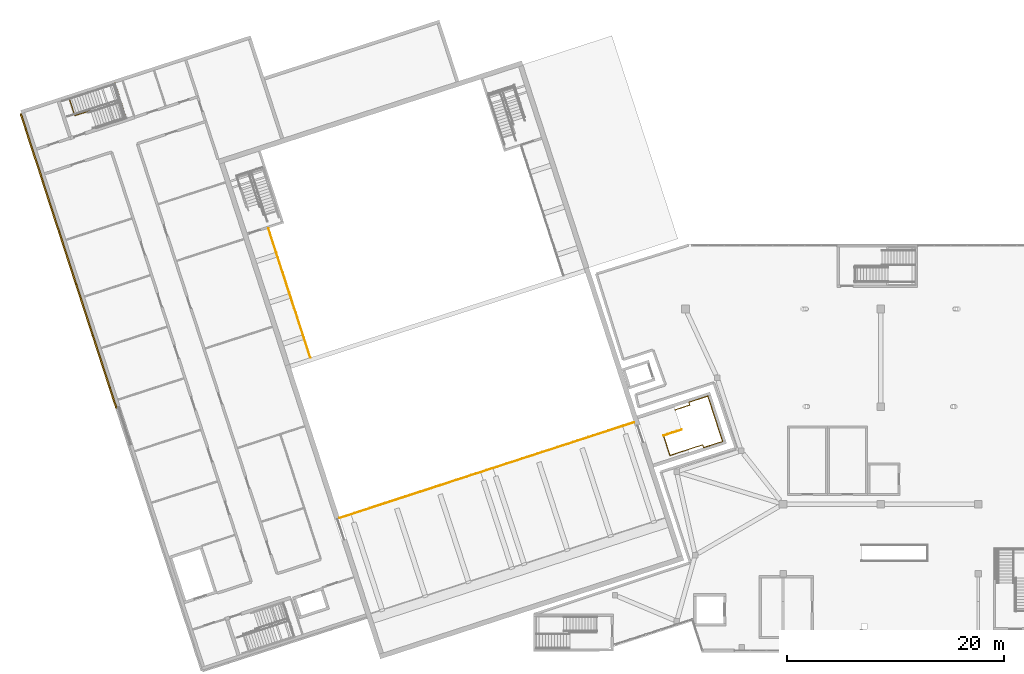
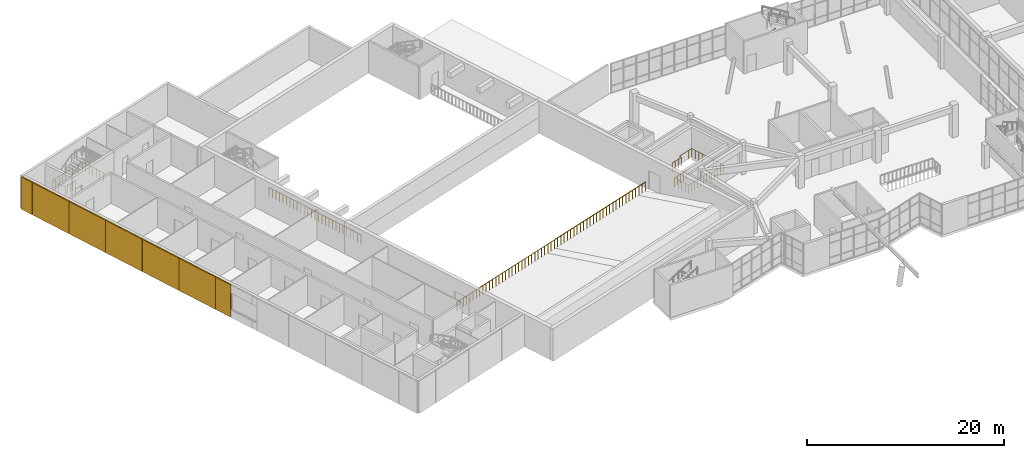
# One storey, part 61 of 65: 7 coverings, 5 railings.
"""IFC4 building model written with IfcOpenShell, lengths in metres."""

from ifc_helpers import new_model, si_unit, direction, frame, origin, origin_2d, place, context, subcontext, project, spatial, polyline, circle, outline, extrude, material, layer, layer_set, type_object, element, save


model = new_model("IFC4")

# Units and contexts
model_context = context("Model", 3, precision=1e-05, world=origin(), true_north=direction((0.0, 1.0)))
body_context = subcontext(model_context, "Body", "Model", "MODEL_VIEW")
ifc_project = project(units=[si_unit("LENGTHUNIT", "METRE"), si_unit("AREAUNIT", "SQUARE_METRE"), si_unit("VOLUMEUNIT", "CUBIC_METRE"), si_unit("PLANEANGLEUNIT", "RADIAN"), si_unit("MASSUNIT", "GRAM", prefix="KILO")], contexts=[model_context])

# Site, building, storey
site_placement = place(None, origin())
site = spatial("IfcSite", under=ifc_project, at=site_placement, CompositionType="ELEMENT")
building_placement = place(site_placement, origin())
building = spatial("IfcBuilding", under=site, at=building_placement, Name="Tuart Plaza Theatre", CompositionType="ELEMENT")
storey_placement = place(building_placement, frame((0.0, 0.0, 9.5)))
storey = spatial("IfcBuildingStorey", under=building, at=storey_placement, Name="L02", CompositionType="ELEMENT", Elevation=9.5)

# Coverings
ifc_material_1 = material(Name="Zinc")
ifc_layer = layer(ifc_material_1, 0.14990234375)
ifc_layer_set = layer_set([ifc_layer], Name="COVERING-ZINC-RAINSCREEN150")
covering_type = type_object("IfcCoveringType", Name="COVERING-ZINC-RAINSCREEN150", PredefinedType="CLADDING", material=ifc_layer_set)
covering_1_placement = place(storey_placement, origin())
element("IfcCovering", 1, at=covering_1_placement, inside=storey, type_object=covering_type, Name="CL159", PredefinedType="CLADDING", context=body_context, shape_type="SweptSolid", body=[
    extrude(outline(polyline([(25.443603515625, 64.8291015625), (24.813232421875, 66.76904296875), (24.955810546875, 66.8154296875), (25.586181640625, 64.875244140625), (25.443603515625, 64.8291015625)])), origin(), (0.0, 0.0, 1.0), 4.0),
])
covering_2_placement = place(storey_placement, origin())
element("IfcCovering", 2, at=covering_2_placement, inside=storey, type_object=covering_type, Name="CL160", PredefinedType="CLADDING", context=body_context, shape_type="SweptSolid", body=[
    extrude(outline(polyline([(24.806884765625, 66.7880859375), (23.26806640625, 71.5244140625), (23.410888671875, 71.57080078125), (24.94970703125, 66.83447265625), (24.806884765625, 66.7880859375)])), origin(), (0.0, 0.0, 1.0), 4.0),
])
covering_3_placement = place(storey_placement, origin())
element("IfcCovering", 3, at=covering_3_placement, inside=storey, type_object=covering_type, Name="CL161", PredefinedType="CLADDING", context=body_context, shape_type="SweptSolid", body=[
    extrude(outline(polyline([(23.261962890625, 71.54345703125), (21.722900390625, 76.27978515625), (21.86572265625, 76.326171875), (23.404541015625, 71.58984375), (23.261962890625, 71.54345703125)])), origin(), (0.0, 0.0, 1.0), 4.0),
])
covering_4_placement = place(storey_placement, origin())
element("IfcCovering", 4, at=covering_4_placement, inside=storey, type_object=covering_type, Name="CL162", PredefinedType="CLADDING", context=body_context, shape_type="SweptSolid", body=[
    extrude(outline(polyline([(21.716796875, 76.298583984375), (20.177978515625, 81.034912109375), (20.320556640625, 81.081298828125), (21.859619140625, 76.34521484375), (21.716796875, 76.298583984375)])), origin(), (0.0, 0.0, 1.0), 4.0),
])
covering_5_placement = place(storey_placement, origin())
element("IfcCovering", 5, at=covering_5_placement, inside=storey, type_object=covering_type, Name="CL163", PredefinedType="CLADDING", context=body_context, shape_type="SweptSolid", body=[
    extrude(outline(polyline([(20.171875, 81.053955078125), (18.6328125, 85.790283203125), (18.775390625, 85.836669921875), (20.314453125, 81.100341796875), (20.171875, 81.053955078125)])), origin(), (0.0, 0.0, 1.0), 4.0),
])
covering_6_placement = place(storey_placement, origin())
element("IfcCovering", 6, at=covering_6_placement, inside=storey, type_object=covering_type, Name="CL164", PredefinedType="CLADDING", context=body_context, shape_type="SweptSolid", body=[
    extrude(outline(polyline([(18.626708984375, 85.809326171875), (17.087890625, 90.54541015625), (17.23046875, 90.591796875), (18.769287109375, 85.855712890625), (18.626708984375, 85.809326171875)])), origin(), (0.0, 0.0, 1.0), 4.0),
])
covering_7_placement = place(storey_placement, origin())
element("IfcCovering", 7, at=covering_7_placement, inside=storey, type_object=covering_type, Name="CL165", PredefinedType="CLADDING", context=body_context, shape_type="SweptSolid", body=[
    extrude(outline(polyline([(17.08154296875, 90.564697265625), (16.62109375, 91.981689453125), (16.763916015625, 92.028076171875), (17.22412109375, 90.61083984375), (17.08154296875, 90.564697265625)])), origin(), (0.0, 0.0, 1.0), 4.0),
])

# Railings
ifc_material_2 = material(Name="Steel Grade C350L0", Category="steel")
railing_type = type_object("IfcRailingType", Name="RAILING Guard 1100", PredefinedType="GUARDRAIL", material=ifc_material_2)
railing_1_placement = place(storey_placement, frame((23.15234375, 92.316162109375, 0.0)))
element("IfcRailing", 8, at=railing_1_placement, inside=storey, type_object=railing_type, Name="GR29", PredefinedType="GUARDRAIL", context=body_context, shape_type="SweptSolid", body=[
    extrude(circle(Radius=0.02490234375, at=origin_2d()), frame((0.0, 0.0, 1.0751953125), z_axis=(-0.951058297536, -0.309011512226, 0.0), x_axis=(0.309011512226, -0.951058297536, 0.0)), (0.0, 0.0, 1.0), 1.554931640625),
    extrude(circle(Radius=0.02490234375, at=origin_2d()), frame((-1.478759765625, -0.48046875, 1.0751953125), z_axis=(-0.309024378638, 0.951054116971, 0.0), x_axis=(-0.951054116971, -0.309024378638, 0.0)), (0.0, 0.0, 1.0), 1.7001953125),
    extrude(circle(Radius=0.02490234375, at=origin_2d()), frame((-2.004150390625, 1.136474609375, 1.0751953125), z_axis=(0.951059006692, 0.309009329618, 0.0), x_axis=(-0.309009329618, 0.951059006692, 0.0)), (0.0, 0.0, 1.0), 4.4599609375),
    extrude(circle(Radius=0.02490234375, at=origin_2d()), frame((2.237548828125, 2.5146484375, 1.0751953125), z_axis=(0.308980533303, -0.951068362443, 0.0), x_axis=(0.951068362443, 0.308980533303, 0.0)), (0.0, 0.0, 1.0), 3.39990234375),
    extrude(circle(Radius=0.02001953125, at=origin_2d()), origin(), (0.0, 0.0, 1.0), 1.050048828125),
    extrude(circle(Radius=0.02001953125, at=origin_2d()), frame((-0.36962890625, -0.1201171875, 0.0)), (0.0, 0.0, 1.0), 1.050048828125),
    extrude(circle(Radius=0.02001953125, at=origin_2d()), frame((-0.7392578125, -0.240234375, 0.0)), (0.0, 0.0, 1.0), 1.050048828125),
    extrude(circle(Radius=0.02001953125, at=origin_2d()), frame((-1.109130859375, -0.3603515625, 0.0)), (0.0, 0.0, 1.0), 1.050048828125),
    extrude(circle(Radius=0.02001953125, at=origin_2d()), frame((-1.478759765625, -0.48046875, 0.0)), (0.0, 0.0, 1.0), 1.050048828125),
    extrude(circle(Radius=0.02001953125, at=origin_2d()), frame((-1.610107421875, -0.076171875, 0.0)), (0.0, 0.0, 1.0), 1.050048828125),
    extrude(circle(Radius=0.02001953125, at=origin_2d()), frame((-1.741455078125, 0.328125, 0.0)), (0.0, 0.0, 1.0), 1.050048828125),
    extrude(circle(Radius=0.02001953125, at=origin_2d()), frame((-1.872802734375, 0.732177734375, 0.0)), (0.0, 0.0, 1.0), 1.050048828125),
    extrude(circle(Radius=0.02001953125, at=origin_2d()), frame((-2.004150390625, 1.136474609375, 0.0)), (0.0, 0.0, 1.0), 1.050048828125),
    extrude(circle(Radius=0.02001953125, at=origin_2d()), frame((-1.532958984375, 1.28955078125, 0.0)), (0.0, 0.0, 1.0), 1.050048828125),
    extrude(circle(Radius=0.02001953125, at=origin_2d()), frame((-1.0615234375, 1.442626953125, 0.0)), (0.0, 0.0, 1.0), 1.050048828125),
    extrude(circle(Radius=0.02001953125, at=origin_2d()), frame((-0.59033203125, 1.595947265625, 0.0)), (0.0, 0.0, 1.0), 1.050048828125),
    extrude(circle(Radius=0.02001953125, at=origin_2d()), frame((-0.118896484375, 1.7490234375, 0.0)), (0.0, 0.0, 1.0), 1.050048828125),
    extrude(circle(Radius=0.02001953125, at=origin_2d()), frame((0.352294921875, 1.902099609375, 0.0)), (0.0, 0.0, 1.0), 1.050048828125),
    extrude(circle(Radius=0.02001953125, at=origin_2d()), frame((0.82373046875, 2.05517578125, 0.0)), (0.0, 0.0, 1.0), 1.050048828125),
    extrude(circle(Radius=0.02001953125, at=origin_2d()), frame((1.294921875, 2.20849609375, 0.0)), (0.0, 0.0, 1.0), 1.050048828125),
    extrude(circle(Radius=0.02001953125, at=origin_2d()), frame((1.766357421875, 2.361572265625, 0.0)), (0.0, 0.0, 1.0), 1.050048828125),
    extrude(circle(Radius=0.02001953125, at=origin_2d()), frame((2.237548828125, 2.5146484375, 0.0)), (0.0, 0.0, 1.0), 1.050048828125),
    extrude(circle(Radius=0.02001953125, at=origin_2d()), frame((2.3876953125, 2.052734375, 0.0)), (0.0, 0.0, 1.0), 1.050048828125),
    extrude(circle(Radius=0.02001953125, at=origin_2d()), frame((2.53759765625, 1.5908203125, 0.0)), (0.0, 0.0, 1.0), 1.050048828125),
    extrude(circle(Radius=0.02001953125, at=origin_2d()), frame((2.687744140625, 1.12890625, 0.0)), (0.0, 0.0, 1.0), 1.050048828125),
    extrude(circle(Radius=0.02001953125, at=origin_2d()), frame((2.837890625, 0.666748046875, 0.0)), (0.0, 0.0, 1.0), 1.050048828125),
    extrude(circle(Radius=0.02001953125, at=origin_2d()), frame((2.988037109375, 0.204833984375, 0.0)), (0.0, 0.0, 1.0), 1.050048828125),
    extrude(circle(Radius=0.02001953125, at=origin_2d()), frame((3.137939453125, -0.257080078125, 0.0)), (0.0, 0.0, 1.0), 1.050048828125),
    extrude(circle(Radius=0.02001953125, at=origin_2d()), frame((3.2880859375, -0.718994140625, 0.0)), (0.0, 0.0, 1.0), 1.050048828125),
])
railing_2_placement = place(storey_placement, frame((75.9765625, 62.32177734375, 0.0)))
element("IfcRailing", 9, at=railing_2_placement, inside=storey, type_object=railing_type, Name="GR44", PredefinedType="GUARDRAIL", context=body_context, shape_type="SweptSolid", body=[
    extrude(circle(Radius=0.02490234375, at=origin_2d()), frame((0.0, 0.0, 1.0751953125), z_axis=(0.951035090951, 0.309082927028, 0.0), x_axis=(-0.309082927028, 0.951035090951, 0.0)), (0.0, 0.0, 1.0), 1.755126953125),
    extrude(circle(Radius=0.02001953125, at=origin_2d()), origin(), (0.0, 0.0, 1.0), 1.050048828125),
    extrude(circle(Radius=0.02001953125, at=origin_2d()), frame((0.417236328125, 0.1357421875, 0.0)), (0.0, 0.0, 1.0), 1.050048828125),
    extrude(circle(Radius=0.02001953125, at=origin_2d()), frame((0.83447265625, 0.271240234375, 0.0)), (0.0, 0.0, 1.0), 1.050048828125),
    extrude(circle(Radius=0.02001953125, at=origin_2d()), frame((1.251953125, 0.40673828125, 0.0)), (0.0, 0.0, 1.0), 1.050048828125),
    extrude(circle(Radius=0.02001953125, at=origin_2d()), frame((1.669189453125, 0.54248046875, 0.0)), (0.0, 0.0, 1.0), 1.050048828125),
])
railing_3_placement = place(storey_placement, frame((77.069580078125, 64.65380859375, 0.0)))
element("IfcRailing", 10, at=railing_3_placement, inside=storey, type_object=railing_type, Name="GR45", PredefinedType="GUARDRAIL", context=body_context, shape_type="SweptSolid", body=[
    extrude(circle(Radius=0.02490234375, at=origin_2d()), frame((0.0, 0.0, 1.0751953125), z_axis=(-0.309700291463, 0.950834228174, 0.0), x_axis=(-0.950834228174, -0.309700291463, 0.0)), (0.0, 0.0, 1.0), 0.044921875),
    extrude(circle(Radius=0.02490234375, at=origin_2d()), frame((-0.013916015625, 0.042724609375, 1.0751953125), z_axis=(0.951079872945, 0.308945100753, 0.0), x_axis=(-0.308945100753, 0.951079872945, 0.0)), (0.0, 0.0, 1.0), 1.40966796875),
    extrude(circle(Radius=0.02490234375, at=origin_2d()), frame((1.326904296875, 0.478271484375, 1.0751953125), z_axis=(-0.30876505768, 0.951138338601, 0.0), x_axis=(-0.951138338601, -0.30876505768, 0.0)), (0.0, 0.0, 1.0), 0.275146484375),
    extrude(circle(Radius=0.02490234375, at=origin_2d()), frame((1.241943359375, 0.739990234375, 1.0751953125), z_axis=(0.951076843063, 0.308954428012, 0.0), x_axis=(-0.308954428012, 0.951076843063, 0.0)), (0.0, 0.0, 1.0), 1.84521484375),
    extrude(circle(Radius=0.02490234375, at=origin_2d()), frame((2.996826171875, 1.31005859375, 1.0751953125), z_axis=(0.30901079133, -0.951058531764, 0.0), x_axis=(0.951058531764, 0.30901079133, 0.0)), (0.0, 0.0, 1.0), 4.39990234375),
    extrude(circle(Radius=0.02490234375, at=origin_2d()), frame((4.3564453125, -2.87451171875, 1.0751953125), z_axis=(-0.951025316447, -0.309113001144, 0.0), x_axis=(0.309113001144, -0.951025316447, 0.0)), (0.0, 0.0, 1.0), 1.844970703125),
    extrude(circle(Radius=0.02490234375, at=origin_2d()), frame((2.601806640625, -3.44482421875, 1.0751953125), z_axis=(-0.309567396281, 0.950877503762, 0.0), x_axis=(-0.950877503762, -0.309567396281, 0.0)), (0.0, 0.0, 1.0), 0.275146484375),
    extrude(circle(Radius=0.02490234375, at=origin_2d()), frame((2.5166015625, -3.18310546875, 1.0751953125), z_axis=(-0.951036332703, -0.309079106182, 0.0), x_axis=(0.309079106182, -0.951036332703, 0.0)), (0.0, 0.0, 1.0), 3.169921875),
    extrude(circle(Radius=0.02490234375, at=origin_2d()), frame((-0.498046875, -4.162841796875, 1.0751953125), z_axis=(-0.309065998639, 0.951040592449, 0.0), x_axis=(-0.951040592449, -0.309065998639, 0.0)), (0.0, 0.0, 1.0), 1.925048828125),
    extrude(circle(Radius=0.02001953125, at=origin_2d()), origin(), (0.0, 0.0, 1.0), 1.050048828125),
    extrude(circle(Radius=0.02001953125, at=origin_2d()), frame((-0.013916015625, 0.042724609375, 0.0)), (0.0, 0.0, 1.0), 1.050048828125),
    extrude(circle(Radius=0.02001953125, at=origin_2d()), frame((0.43310546875, 0.18798828125, 0.0)), (0.0, 0.0, 1.0), 1.050048828125),
    extrude(circle(Radius=0.02001953125, at=origin_2d()), frame((0.8798828125, 0.3330078125, 0.0)), (0.0, 0.0, 1.0), 1.050048828125),
    extrude(circle(Radius=0.02001953125, at=origin_2d()), frame((1.326904296875, 0.478271484375, 0.0)), (0.0, 0.0, 1.0), 1.050048828125),
    extrude(circle(Radius=0.02001953125, at=origin_2d()), frame((1.241943359375, 0.739990234375, 0.0)), (0.0, 0.0, 1.0), 1.050048828125),
    extrude(circle(Radius=0.02001953125, at=origin_2d()), frame((1.6806640625, 0.882568359375, 0.0)), (0.0, 0.0, 1.0), 1.050048828125),
    extrude(circle(Radius=0.02001953125, at=origin_2d()), frame((2.119384765625, 1.02490234375, 0.0)), (0.0, 0.0, 1.0), 1.050048828125),
    extrude(circle(Radius=0.02001953125, at=origin_2d()), frame((2.55810546875, 1.16748046875, 0.0)), (0.0, 0.0, 1.0), 1.050048828125),
    extrude(circle(Radius=0.02001953125, at=origin_2d()), frame((2.996826171875, 1.31005859375, 0.0)), (0.0, 0.0, 1.0), 1.050048828125),
    extrude(circle(Radius=0.02001953125, at=origin_2d()), frame((3.14794921875, 0.84521484375, 0.0)), (0.0, 0.0, 1.0), 1.050048828125),
    extrude(circle(Radius=0.02001953125, at=origin_2d()), frame((3.299072265625, 0.380126953125, 0.0)), (0.0, 0.0, 1.0), 1.050048828125),
    extrude(circle(Radius=0.02001953125, at=origin_2d()), frame((3.449951171875, -0.084716796875, 0.0)), (0.0, 0.0, 1.0), 1.050048828125),
    extrude(circle(Radius=0.02001953125, at=origin_2d()), frame((3.60107421875, -0.5498046875, 0.0)), (0.0, 0.0, 1.0), 1.050048828125),
    extrude(circle(Radius=0.02001953125, at=origin_2d()), frame((3.752197265625, -1.0146484375, 0.0)), (0.0, 0.0, 1.0), 1.050048828125),
    extrude(circle(Radius=0.02001953125, at=origin_2d()), frame((3.9033203125, -1.479736328125, 0.0)), (0.0, 0.0, 1.0), 1.050048828125),
    extrude(circle(Radius=0.02001953125, at=origin_2d()), frame((4.05419921875, -1.944580078125, 0.0)), (0.0, 0.0, 1.0), 1.050048828125),
    extrude(circle(Radius=0.02001953125, at=origin_2d()), frame((4.205322265625, -2.40966796875, 0.0)), (0.0, 0.0, 1.0), 1.050048828125),
    extrude(circle(Radius=0.02001953125, at=origin_2d()), frame((4.3564453125, -2.87451171875, 0.0)), (0.0, 0.0, 1.0), 1.050048828125),
    extrude(circle(Radius=0.02001953125, at=origin_2d()), frame((3.917724609375, -3.01708984375, 0.0)), (0.0, 0.0, 1.0), 1.050048828125),
    extrude(circle(Radius=0.02001953125, at=origin_2d()), frame((3.47900390625, -3.15966796875, 0.0)), (0.0, 0.0, 1.0), 1.050048828125),
    extrude(circle(Radius=0.02001953125, at=origin_2d()), frame((3.04052734375, -3.30224609375, 0.0)), (0.0, 0.0, 1.0), 1.050048828125),
    extrude(circle(Radius=0.02001953125, at=origin_2d()), frame((2.601806640625, -3.44482421875, 0.0)), (0.0, 0.0, 1.0), 1.050048828125),
    extrude(circle(Radius=0.02001953125, at=origin_2d()), frame((2.5166015625, -3.18310546875, 0.0)), (0.0, 0.0, 1.0), 1.050048828125),
    extrude(circle(Radius=0.02001953125, at=origin_2d()), frame((2.0859375, -3.322998046875, 0.0)), (0.0, 0.0, 1.0), 1.050048828125),
    extrude(circle(Radius=0.02001953125, at=origin_2d()), frame((1.6552734375, -3.463134765625, 0.0)), (0.0, 0.0, 1.0), 1.050048828125),
    extrude(circle(Radius=0.02001953125, at=origin_2d()), frame((1.224609375, -3.60302734375, 0.0)), (0.0, 0.0, 1.0), 1.050048828125),
    extrude(circle(Radius=0.02001953125, at=origin_2d()), frame((0.7939453125, -3.742919921875, 0.0)), (0.0, 0.0, 1.0), 1.050048828125),
    extrude(circle(Radius=0.02001953125, at=origin_2d()), frame((0.36328125, -3.8828125, 0.0)), (0.0, 0.0, 1.0), 1.050048828125),
    extrude(circle(Radius=0.02001953125, at=origin_2d()), frame((-0.0673828125, -4.02294921875, 0.0)), (0.0, 0.0, 1.0), 1.050048828125),
    extrude(circle(Radius=0.02001953125, at=origin_2d()), frame((-0.498046875, -4.162841796875, 0.0)), (0.0, 0.0, 1.0), 1.050048828125),
    extrude(circle(Radius=0.02001953125, at=origin_2d()), frame((-0.646728515625, -3.705078125, 0.0)), (0.0, 0.0, 1.0), 1.050048828125),
    extrude(circle(Radius=0.02001953125, at=origin_2d()), frame((-0.79541015625, -3.24755859375, 0.0)), (0.0, 0.0, 1.0), 1.050048828125),
    extrude(circle(Radius=0.02001953125, at=origin_2d()), frame((-0.9443359375, -2.789794921875, 0.0)), (0.0, 0.0, 1.0), 1.050048828125),
    extrude(circle(Radius=0.02001953125, at=origin_2d()), frame((-1.093017578125, -2.33203125, 0.0)), (0.0, 0.0, 1.0), 1.050048828125),
])
railing_4_placement = place(storey_placement, frame((46.10400390625, 54.718505859375, -0.300048828125)))
element("IfcRailing", 11, at=railing_4_placement, inside=storey, type_object=railing_type, Name="GR109", PredefinedType="GUARDRAIL", context=body_context, shape_type="SweptSolid", body=[
    extrude(circle(Radius=0.02490234375, at=origin_2d()), frame((0.0, 0.0, 1.0751953125), z_axis=(0.951056312165, 0.309017622621, 0.0), x_axis=(-0.309017622621, 0.951056312165, 0.0)), (0.0, 0.0, 1.0), 28.55029296875),
    extrude(circle(Radius=0.02001953125, at=origin_2d()), origin(), (0.0, 0.0, 1.0), 1.050048828125),
    extrude(circle(Radius=0.02001953125, at=origin_2d()), frame((0.46826171875, 0.152099609375, 0.0)), (0.0, 0.0, 1.0), 1.050048828125),
    extrude(circle(Radius=0.02001953125, at=origin_2d()), frame((0.936279296875, 0.30419921875, 0.0)), (0.0, 0.0, 1.0), 1.050048828125),
    extrude(circle(Radius=0.02001953125, at=origin_2d()), frame((1.404541015625, 0.456298828125, 0.0)), (0.0, 0.0, 1.0), 1.050048828125),
    extrude(circle(Radius=0.02001953125, at=origin_2d()), frame((1.87255859375, 0.6083984375, 0.0)), (0.0, 0.0, 1.0), 1.050048828125),
    extrude(circle(Radius=0.02001953125, at=origin_2d()), frame((2.3408203125, 0.760498046875, 0.0)), (0.0, 0.0, 1.0), 1.050048828125),
    extrude(circle(Radius=0.02001953125, at=origin_2d()), frame((2.808837890625, 0.91259765625, 0.0)), (0.0, 0.0, 1.0), 1.050048828125),
    extrude(circle(Radius=0.02001953125, at=origin_2d()), frame((3.277099609375, 1.064697265625, 0.0)), (0.0, 0.0, 1.0), 1.050048828125),
    extrude(circle(Radius=0.02001953125, at=origin_2d()), frame((3.7451171875, 1.216796875, 0.0)), (0.0, 0.0, 1.0), 1.050048828125),
    extrude(circle(Radius=0.02001953125, at=origin_2d()), frame((4.21337890625, 1.368896484375, 0.0)), (0.0, 0.0, 1.0), 1.050048828125),
    extrude(circle(Radius=0.02001953125, at=origin_2d()), frame((4.681640625, 1.521240234375, 0.0)), (0.0, 0.0, 1.0), 1.050048828125),
    extrude(circle(Radius=0.02001953125, at=origin_2d()), frame((5.149658203125, 1.67333984375, 0.0)), (0.0, 0.0, 1.0), 1.050048828125),
    extrude(circle(Radius=0.02001953125, at=origin_2d()), frame((5.617919921875, 1.825439453125, 0.0)), (0.0, 0.0, 1.0), 1.050048828125),
    extrude(circle(Radius=0.02001953125, at=origin_2d()), frame((6.0859375, 1.9775390625, 0.0)), (0.0, 0.0, 1.0), 1.050048828125),
    extrude(circle(Radius=0.02001953125, at=origin_2d()), frame((6.55419921875, 2.129638671875, 0.0)), (0.0, 0.0, 1.0), 1.050048828125),
    extrude(circle(Radius=0.02001953125, at=origin_2d()), frame((7.022216796875, 2.28173828125, 0.0)), (0.0, 0.0, 1.0), 1.050048828125),
    extrude(circle(Radius=0.02001953125, at=origin_2d()), frame((7.490478515625, 2.433837890625, 0.0)), (0.0, 0.0, 1.0), 1.050048828125),
    extrude(circle(Radius=0.02001953125, at=origin_2d()), frame((7.95849609375, 2.5859375, 0.0)), (0.0, 0.0, 1.0), 1.050048828125),
    extrude(circle(Radius=0.02001953125, at=origin_2d()), frame((8.4267578125, 2.738037109375, 0.0)), (0.0, 0.0, 1.0), 1.050048828125),
    extrude(circle(Radius=0.02001953125, at=origin_2d()), frame((8.894775390625, 2.89013671875, 0.0)), (0.0, 0.0, 1.0), 1.050048828125),
    extrude(circle(Radius=0.02001953125, at=origin_2d()), frame((9.363037109375, 3.042236328125, 0.0)), (0.0, 0.0, 1.0), 1.050048828125),
    extrude(circle(Radius=0.02001953125, at=origin_2d()), frame((9.831298828125, 3.1943359375, 0.0)), (0.0, 0.0, 1.0), 1.050048828125),
    extrude(circle(Radius=0.02001953125, at=origin_2d()), frame((10.29931640625, 3.346435546875, 0.0)), (0.0, 0.0, 1.0), 1.050048828125),
    extrude(circle(Radius=0.02001953125, at=origin_2d()), frame((10.767578125, 3.49853515625, 0.0)), (0.0, 0.0, 1.0), 1.050048828125),
    extrude(circle(Radius=0.02001953125, at=origin_2d()), frame((11.235595703125, 3.650634765625, 0.0)), (0.0, 0.0, 1.0), 1.050048828125),
    extrude(circle(Radius=0.02001953125, at=origin_2d()), frame((11.703857421875, 3.802734375, 0.0)), (0.0, 0.0, 1.0), 1.050048828125),
    extrude(circle(Radius=0.02001953125, at=origin_2d()), frame((12.171875, 3.954833984375, 0.0)), (0.0, 0.0, 1.0), 1.050048828125),
    extrude(circle(Radius=0.02001953125, at=origin_2d()), frame((12.64013671875, 4.10693359375, 0.0)), (0.0, 0.0, 1.0), 1.050048828125),
    extrude(circle(Radius=0.02001953125, at=origin_2d()), frame((13.108154296875, 4.259033203125, 0.0)), (0.0, 0.0, 1.0), 1.050048828125),
    extrude(circle(Radius=0.02001953125, at=origin_2d()), frame((13.576416015625, 4.4111328125, 0.0)), (0.0, 0.0, 1.0), 1.050048828125),
    extrude(circle(Radius=0.02001953125, at=origin_2d()), frame((14.044677734375, 4.5634765625, 0.0)), (0.0, 0.0, 1.0), 1.050048828125),
    extrude(circle(Radius=0.02001953125, at=origin_2d()), frame((14.5126953125, 4.715576171875, 0.0)), (0.0, 0.0, 1.0), 1.050048828125),
    extrude(circle(Radius=0.02001953125, at=origin_2d()), frame((14.98095703125, 4.86767578125, 0.0)), (0.0, 0.0, 1.0), 1.050048828125),
    extrude(circle(Radius=0.02001953125, at=origin_2d()), frame((15.448974609375, 5.019775390625, 0.0)), (0.0, 0.0, 1.0), 1.050048828125),
    extrude(circle(Radius=0.02001953125, at=origin_2d()), frame((15.917236328125, 5.171875, 0.0)), (0.0, 0.0, 1.0), 1.050048828125),
    extrude(circle(Radius=0.02001953125, at=origin_2d()), frame((16.38525390625, 5.323974609375, 0.0)), (0.0, 0.0, 1.0), 1.050048828125),
    extrude(circle(Radius=0.02001953125, at=origin_2d()), frame((16.853515625, 5.47607421875, 0.0)), (0.0, 0.0, 1.0), 1.050048828125),
    extrude(circle(Radius=0.02001953125, at=origin_2d()), frame((17.321533203125, 5.628173828125, 0.0)), (0.0, 0.0, 1.0), 1.050048828125),
    extrude(circle(Radius=0.02001953125, at=origin_2d()), frame((17.789794921875, 5.7802734375, 0.0)), (0.0, 0.0, 1.0), 1.050048828125),
    extrude(circle(Radius=0.02001953125, at=origin_2d()), frame((18.258056640625, 5.932373046875, 0.0)), (0.0, 0.0, 1.0), 1.050048828125),
    extrude(circle(Radius=0.02001953125, at=origin_2d()), frame((18.72607421875, 6.08447265625, 0.0)), (0.0, 0.0, 1.0), 1.050048828125),
    extrude(circle(Radius=0.02001953125, at=origin_2d()), frame((19.1943359375, 6.236572265625, 0.0)), (0.0, 0.0, 1.0), 1.050048828125),
    extrude(circle(Radius=0.02001953125, at=origin_2d()), frame((19.662353515625, 6.388671875, 0.0)), (0.0, 0.0, 1.0), 1.050048828125),
    extrude(circle(Radius=0.02001953125, at=origin_2d()), frame((20.130615234375, 6.540771484375, 0.0)), (0.0, 0.0, 1.0), 1.050048828125),
    extrude(circle(Radius=0.02001953125, at=origin_2d()), frame((20.5986328125, 6.69287109375, 0.0)), (0.0, 0.0, 1.0), 1.050048828125),
    extrude(circle(Radius=0.02001953125, at=origin_2d()), frame((21.06689453125, 6.844970703125, 0.0)), (0.0, 0.0, 1.0), 1.050048828125),
    extrude(circle(Radius=0.02001953125, at=origin_2d()), frame((21.534912109375, 6.9970703125, 0.0)), (0.0, 0.0, 1.0), 1.050048828125),
    extrude(circle(Radius=0.02001953125, at=origin_2d()), frame((22.003173828125, 7.149169921875, 0.0)), (0.0, 0.0, 1.0), 1.050048828125),
    extrude(circle(Radius=0.02001953125, at=origin_2d()), frame((22.47119140625, 7.30126953125, 0.0)), (0.0, 0.0, 1.0), 1.050048828125),
    extrude(circle(Radius=0.02001953125, at=origin_2d()), frame((22.939453125, 7.45361328125, 0.0)), (0.0, 0.0, 1.0), 1.050048828125),
    extrude(circle(Radius=0.02001953125, at=origin_2d()), frame((23.40771484375, 7.605712890625, 0.0)), (0.0, 0.0, 1.0), 1.050048828125),
    extrude(circle(Radius=0.02001953125, at=origin_2d()), frame((23.875732421875, 7.7578125, 0.0)), (0.0, 0.0, 1.0), 1.050048828125),
    extrude(circle(Radius=0.02001953125, at=origin_2d()), frame((24.343994140625, 7.909912109375, 0.0)), (0.0, 0.0, 1.0), 1.050048828125),
    extrude(circle(Radius=0.02001953125, at=origin_2d()), frame((24.81201171875, 8.06201171875, 0.0)), (0.0, 0.0, 1.0), 1.050048828125),
    extrude(circle(Radius=0.02001953125, at=origin_2d()), frame((25.2802734375, 8.214111328125, 0.0)), (0.0, 0.0, 1.0), 1.050048828125),
    extrude(circle(Radius=0.02001953125, at=origin_2d()), frame((25.748291015625, 8.3662109375, 0.0)), (0.0, 0.0, 1.0), 1.050048828125),
    extrude(circle(Radius=0.02001953125, at=origin_2d()), frame((26.216552734375, 8.518310546875, 0.0)), (0.0, 0.0, 1.0), 1.050048828125),
    extrude(circle(Radius=0.02001953125, at=origin_2d()), frame((26.6845703125, 8.67041015625, 0.0)), (0.0, 0.0, 1.0), 1.050048828125),
    extrude(circle(Radius=0.02001953125, at=origin_2d()), frame((27.15283203125, 8.822509765625, 0.0)), (0.0, 0.0, 1.0), 1.050048828125),
])
railing_5_placement = place(storey_placement, frame((43.40185546875, 69.50732421875, 0.0)))
element("IfcRailing", 12, at=railing_5_placement, inside=storey, type_object=railing_type, Name="GR115", PredefinedType="GUARDRAIL", context=body_context, shape_type="SweptSolid", body=[
    extrude(circle(Radius=0.02490234375, at=origin_2d()), frame((0.0, 0.0, 1.0751953125), z_axis=(-0.309017011458, 0.951056510744, 0.0), x_axis=(-0.951056510744, -0.309017011458, 0.0)), (0.0, 0.0, 1.0), 12.550048828125),
    extrude(circle(Radius=0.02001953125, at=origin_2d()), origin(), (0.0, 0.0, 1.0), 1.050048828125),
    extrude(circle(Radius=0.02001953125, at=origin_2d()), frame((-0.149169921875, 0.458984375, 0.0)), (0.0, 0.0, 1.0), 1.050048828125),
    extrude(circle(Radius=0.02001953125, at=origin_2d()), frame((-0.29833984375, 0.918212890625, 0.0)), (0.0, 0.0, 1.0), 1.050048828125),
    extrude(circle(Radius=0.02001953125, at=origin_2d()), frame((-0.447509765625, 1.377197265625, 0.0)), (0.0, 0.0, 1.0), 1.050048828125),
    extrude(circle(Radius=0.02001953125, at=origin_2d()), frame((-0.5966796875, 1.836181640625, 0.0)), (0.0, 0.0, 1.0), 1.050048828125),
    extrude(circle(Radius=0.02001953125, at=origin_2d()), frame((-0.745849609375, 2.29541015625, 0.0)), (0.0, 0.0, 1.0), 1.050048828125),
    extrude(circle(Radius=0.02001953125, at=origin_2d()), frame((-0.89501953125, 2.75439453125, 0.0)), (0.0, 0.0, 1.0), 1.050048828125),
    extrude(circle(Radius=0.02001953125, at=origin_2d()), frame((-1.044189453125, 3.21337890625, 0.0)), (0.0, 0.0, 1.0), 1.050048828125),
    extrude(circle(Radius=0.02001953125, at=origin_2d()), frame((-1.193359375, 3.672607421875, 0.0)), (0.0, 0.0, 1.0), 1.050048828125),
    extrude(circle(Radius=0.02001953125, at=origin_2d()), frame((-1.342529296875, 4.131591796875, 0.0)), (0.0, 0.0, 1.0), 1.050048828125),
    extrude(circle(Radius=0.02001953125, at=origin_2d()), frame((-1.49169921875, 4.590576171875, 0.0)), (0.0, 0.0, 1.0), 1.050048828125),
    extrude(circle(Radius=0.02001953125, at=origin_2d()), frame((-1.640869140625, 5.0498046875, 0.0)), (0.0, 0.0, 1.0), 1.050048828125),
    extrude(circle(Radius=0.02001953125, at=origin_2d()), frame((-1.7900390625, 5.5087890625, 0.0)), (0.0, 0.0, 1.0), 1.050048828125),
    extrude(circle(Radius=0.02001953125, at=origin_2d()), frame((-1.93896484375, 5.9677734375, 0.0)), (0.0, 0.0, 1.0), 1.050048828125),
    extrude(circle(Radius=0.02001953125, at=origin_2d()), frame((-2.088134765625, 6.427001953125, 0.0)), (0.0, 0.0, 1.0), 1.050048828125),
    extrude(circle(Radius=0.02001953125, at=origin_2d()), frame((-2.2373046875, 6.885986328125, 0.0)), (0.0, 0.0, 1.0), 1.050048828125),
    extrude(circle(Radius=0.02001953125, at=origin_2d()), frame((-2.386474609375, 7.34521484375, 0.0)), (0.0, 0.0, 1.0), 1.050048828125),
    extrude(circle(Radius=0.02001953125, at=origin_2d()), frame((-2.53564453125, 7.80419921875, 0.0)), (0.0, 0.0, 1.0), 1.050048828125),
    extrude(circle(Radius=0.02001953125, at=origin_2d()), frame((-2.684814453125, 8.26318359375, 0.0)), (0.0, 0.0, 1.0), 1.050048828125),
    extrude(circle(Radius=0.02001953125, at=origin_2d()), frame((-2.833984375, 8.722412109375, 0.0)), (0.0, 0.0, 1.0), 1.050048828125),
    extrude(circle(Radius=0.02001953125, at=origin_2d()), frame((-2.983154296875, 9.181396484375, 0.0)), (0.0, 0.0, 1.0), 1.050048828125),
    extrude(circle(Radius=0.02001953125, at=origin_2d()), frame((-3.13232421875, 9.640380859375, 0.0)), (0.0, 0.0, 1.0), 1.050048828125),
    extrude(circle(Radius=0.02001953125, at=origin_2d()), frame((-3.281494140625, 10.099609375, 0.0)), (0.0, 0.0, 1.0), 1.050048828125),
    extrude(circle(Radius=0.02001953125, at=origin_2d()), frame((-3.4306640625, 10.55859375, 0.0)), (0.0, 0.0, 1.0), 1.050048828125),
    extrude(circle(Radius=0.02001953125, at=origin_2d()), frame((-3.579833984375, 11.017578125, 0.0)), (0.0, 0.0, 1.0), 1.050048828125),
    extrude(circle(Radius=0.02001953125, at=origin_2d()), frame((-3.72900390625, 11.476806640625, 0.0)), (0.0, 0.0, 1.0), 1.050048828125),
    extrude(circle(Radius=0.02001953125, at=origin_2d()), frame((-3.878173828125, 11.935791015625, 0.0)), (0.0, 0.0, 1.0), 1.050048828125),
])

save(model, "model.ifc")
